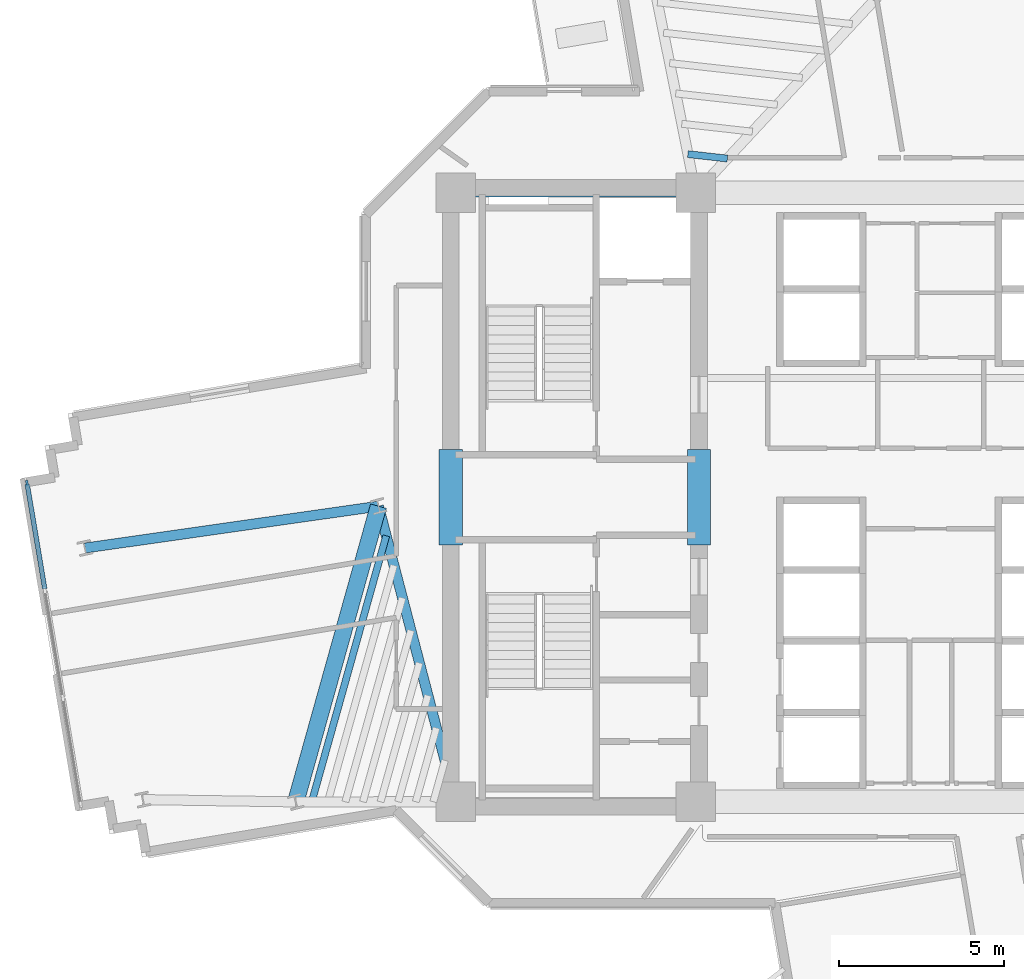
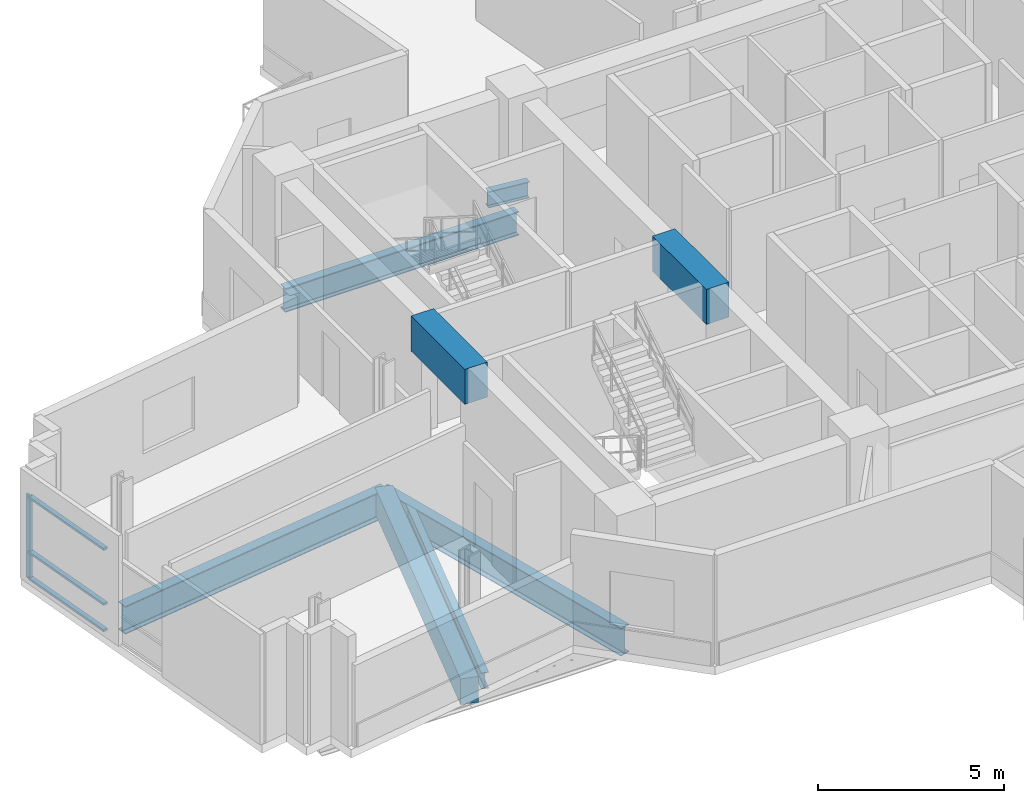
# One storey, part 3 of 15: 8 beams, 4 members, 1 element without a shape of its own.
"""IFC4 building model written with IfcOpenShell, lengths in metres."""

from ifc_helpers import new_model, si_unit, direction, frame, origin, origin_2d, place, context, subcontext, project, spatial, rectangle, i_section, extrude, source, transform, mapped, material, layer, layer_set, material_profile, profile_set, type_object, element, aggregate, save


model = new_model("IFC4")

# Units and contexts
model_context = context("Model", 3, precision=1e-05, world=origin(), true_north=direction((0.0, 1.0)))
body_context = subcontext(model_context, "Body", "Model", "MODEL_VIEW")
ifc_project = project(units=[si_unit("LENGTHUNIT", "METRE"), si_unit("AREAUNIT", "SQUARE_METRE"), si_unit("VOLUMEUNIT", "CUBIC_METRE"), si_unit("PLANEANGLEUNIT", "RADIAN"), si_unit("MASSUNIT", "GRAM", prefix="KILO")], contexts=[model_context])

# Site, building, storey
site_placement = place(None, origin())
site = spatial("IfcSite", under=ifc_project, at=site_placement, CompositionType="ELEMENT")
building_placement = place(site_placement, origin())
building = spatial("IfcBuilding", under=site, at=building_placement, Name="Zahravan Cultural Tower", CompositionType="ELEMENT")
storey_placement = place(building_placement, frame((0.0, 0.0, 135.60009765625)))
storey = spatial("IfcBuildingStorey", under=building, at=storey_placement, Name="L30", CompositionType="ELEMENT", Elevation=135.60009765625)

# Beams
ifc_material_1 = material(Name="Concrete C50/60", Category="concrete")
ifc_material_profile_1 = material_profile(ifc_material_1, rectangle(XDim=0.699951171875, YDim=1.14990234375, at=origin_2d()), Name="RC700X1150")
ifc_profile_set_1 = profile_set([ifc_material_profile_1], Name="Concrete C50/60")
beam_type_1 = type_object("IfcBeamType", Name="BM-LN-RC700X1150", PredefinedType="LINTEL", material=ifc_profile_set_1)
shared_shape_1 = source(origin(), body_context, "Body", "SweptSolid", [
    extrude(rectangle(XDim=0.699951171875, YDim=1.14990234375, at=origin_2d()), origin(), (0.0, 0.0, 1.0), 2.89990234375),
])
for number, where, z_axis, x_axis, name in (
    (1, (21.5, 25.550048828125, 3.044921875), (0.0, 1.0, 0.0), (-1.0, 0.0, 0.0), "L30 Beam LN-L30-PWW"),
    (2, (29.0, 25.550048828125, 3.044921875), (0.0, 1.0, 0.0), (-1.0, 0.0, 0.0), "L30 Beam LN-L30-PWE"),
):
    element("IfcBeam", number, at=place(storey_placement, frame(where, z_axis=z_axis, x_axis=x_axis)), inside=storey, type_object=beam_type_1, Name=name, PredefinedType="LINTEL", context=body_context, shape_type="MappedRepresentation", body=[
        mapped(shared_shape_1, transform((0.0, 0.0, 0.0), x_axis=(1.0, 0.0, 0.0), y_axis=(0.0, 1.0, 0.0), z_axis=(0.0, 0.0, 1.0), scale=1.0)),
    ])
ifc_material_2 = material(Name="Steel ASTM A992 Grade 50", Category="steel")
ifc_material_profile_2 = material_profile(ifc_material_2, i_section(OverallWidth=0.26611328125, OverallDepth=0.780029296875, WebThickness=0.0166015625, FlangeThickness=0.030029296875, FilletRadius=0.01904296875, at=origin_2d()), Name="W30X148")
ifc_profile_set_2 = profile_set([ifc_material_profile_2], Name="Steel ASTM A992 Grade 50")
beam_type_2 = type_object("IfcBeamType", Name="BM-G-W30X148", PredefinedType="BEAM", material=ifc_profile_set_2)
shared_shape_2 = source(origin(), body_context, "Body", "SweptSolid", [
    extrude(i_section(OverallWidth=0.26611328125, OverallDepth=0.780029296875, WebThickness=0.0166015625, FlangeThickness=0.030029296875, FilletRadius=0.01904296875, at=origin_2d()), origin(), (0.0, 0.0, 1.0), 7.25),
])
beam_1_placement = place(storey_placement, frame((21.64990234375, 36.199951171875, -0.670166015625), z_axis=(1.0, 0.0, 0.0), x_axis=(0.0, 1.0, 0.0)))
element("IfcBeam", 3, at=beam_1_placement, inside=storey, type_object=beam_type_2, Name="L30 Beam BG-L30-02", PredefinedType="BEAM", context=body_context, shape_type="MappedRepresentation", body=[
    mapped(shared_shape_2, transform((0.0, 0.0, 0.0), x_axis=(1.0, 0.0, 0.0), y_axis=(0.0, 1.0, 0.0), z_axis=(0.0, 0.0, 1.0), scale=1.0)),
])
ifc_material_profile_3 = material_profile(ifc_material_2, i_section(OverallWidth=0.304931640625, OverallDepth=0.9189453125, WebThickness=0.017333984375, FlangeThickness=0.02783203125, FilletRadius=0.02392578125, at=origin_2d()), Name="W36X170")
ifc_profile_set_3 = profile_set([ifc_material_profile_3], Name="Steel ASTM A992 Grade 50")
beam_type_3 = type_object("IfcBeamType", Name="BM-G-W36X170", PredefinedType="BEAM", material=ifc_profile_set_3)
shared_shape_3 = source(origin(), body_context, "Body", "SweptSolid", [
    extrude(i_section(OverallWidth=0.304931640625, OverallDepth=0.9189453125, WebThickness=0.017333984375, FlangeThickness=0.02783203125, FilletRadius=0.02392578125, at=origin_2d()), origin(), (0.0, 0.0, 1.0), 9.22900390625),
])
beam_2_placement = place(storey_placement, frame((21.64990234375, 17.800048828125, -0.739501953125), z_axis=(-0.252922608408, 0.967486513682, 0.0), x_axis=(-0.967486513682, -0.252922608408, 0.0)))
element("IfcBeam", 4, at=beam_2_placement, inside=storey, type_object=beam_type_3, Name="L30 Beam BG-L30-07", PredefinedType="BEAM", context=body_context, shape_type="MappedRepresentation", body=[
    mapped(shared_shape_3, transform((0.0, 0.0, 0.0), x_axis=(1.0, 0.0, 0.0), y_axis=(0.0, 1.0, 0.0), z_axis=(0.0, 0.0, 1.0), scale=1.0)),
])
shared_shape_4 = source(origin(), body_context, "Body", "SweptSolid", [
    extrude(i_section(OverallWidth=0.304931640625, OverallDepth=0.9189453125, WebThickness=0.017333984375, FlangeThickness=0.02783203125, FilletRadius=0.02392578125, at=origin_2d()), origin(), (0.0, 0.0, 1.0), 8.9580078125),
])
beam_3_placement = place(storey_placement, frame((19.315673828125, 26.72900390625, -0.739501953125), z_axis=(-0.990000122431, -0.141066500584, 0.0), x_axis=(0.141066500584, -0.990000122431, 0.0)))
element("IfcBeam", 5, at=beam_3_placement, inside=storey, type_object=beam_type_3, Name="L30 Beam BG-L30-17", PredefinedType="BEAM", context=body_context, shape_type="MappedRepresentation", body=[
    mapped(shared_shape_4, transform((0.0, 0.0, 0.0), x_axis=(1.0, 0.0, 0.0), y_axis=(0.0, 1.0, 0.0), z_axis=(0.0, 0.0, 1.0), scale=1.0)),
])
ifc_material_profile_4 = material_profile(ifc_material_1, rectangle(XDim=0.5, YDim=0.85009765625, at=origin_2d()), Name="RC500X850")
ifc_profile_set_4 = profile_set([ifc_material_profile_4], Name="Concrete C50/60")
beam_type_4 = type_object("IfcBeamType", Name="BM-SP-RC500X850", PredefinedType="SPANDREL", material=ifc_profile_set_4)
shared_shape_5 = source(origin(), body_context, "Body", "SweptSolid", [
    extrude(rectangle(XDim=0.5, YDim=0.85009765625, at=origin_2d()), origin(), (0.0, 0.0, 1.0), 9.2783203125),
])
beam_4_placement = place(storey_placement, frame((19.315673828125, 26.72900390625, -0.705078125), z_axis=(-0.269497187032, -0.963001176625, 0.0), x_axis=(0.963001176625, -0.269497187032, 0.0)))
element("IfcBeam", 6, at=beam_4_placement, inside=storey, type_object=beam_type_4, Name="L30 Beam SP-L30-19", PredefinedType="SPANDREL", context=body_context, shape_type="MappedRepresentation", body=[
    mapped(shared_shape_5, transform((0.0, 0.0, 0.0), x_axis=(1.0, 0.0, 0.0), y_axis=(0.0, 1.0, 0.0), z_axis=(0.0, 0.0, 1.0), scale=1.0)),
])
ifc_material_profile_5 = material_profile(ifc_material_2, i_section(OverallWidth=0.2099609375, OverallDepth=0.532958984375, WebThickness=0.01025390625, FlangeThickness=0.015625, FilletRadius=0.013916015625, at=origin_2d()), Name="W21X62")
ifc_profile_set_5 = profile_set([ifc_material_profile_5], Name="Steel ASTM A992 Grade 50")
beam_type_5 = type_object("IfcBeamType", Name="BM-J-W21X62", PredefinedType="JOIST", material=ifc_profile_set_5)
shared_shape_6 = source(origin(), body_context, "Body", "SweptSolid", [
    extrude(i_section(OverallWidth=0.2099609375, OverallDepth=0.532958984375, WebThickness=0.01025390625, FlangeThickness=0.015625, FilletRadius=0.013916015625, at=origin_2d()), origin(), (0.0, 0.0, 1.0), 8.350830078125),
])
beam_5_placement = place(storey_placement, frame((19.549072265625, 25.836181640625, -0.546630859375), z_axis=(-0.269496539555, -0.963001357822, 0.0), x_axis=(0.963001357822, -0.269496539555, 0.0)))
element("IfcBeam", 7, at=beam_5_placement, inside=storey, type_object=beam_type_5, Name="L30 Beam BJ-L30-31", PredefinedType="JOIST", context=body_context, shape_type="MappedRepresentation", body=[
    mapped(shared_shape_6, transform((0.0, 0.0, 0.0), x_axis=(1.0, 0.0, 0.0), y_axis=(0.0, 1.0, 0.0), z_axis=(0.0, 0.0, 1.0), scale=1.0)),
])
shared_shape_7 = source(origin(), body_context, "Body", "SweptSolid", [
    extrude(i_section(OverallWidth=0.2099609375, OverallDepth=0.532958984375, WebThickness=0.01025390625, FlangeThickness=0.015625, FilletRadius=0.013916015625, at=origin_2d()), origin(), (0.0, 0.0, 1.0), 1.201171875),
])
beam_6_placement = place(storey_placement, frame((29.859619140625, 37.234375, -0.546630859375), z_axis=(-0.99379916149, 0.111190047317, 0.0), x_axis=(-0.111190047317, -0.99379916149, 0.0)))
element("IfcBeam", 8, at=beam_6_placement, inside=storey, type_object=beam_type_5, Name="L30 Beam BJ-L30-48", PredefinedType="JOIST", context=body_context, shape_type="MappedRepresentation", body=[
    mapped(shared_shape_7, transform((0.0, 0.0, 0.0), x_axis=(1.0, 0.0, 0.0), y_axis=(0.0, 1.0, 0.0), z_axis=(0.0, 0.0, 1.0), scale=1.0)),
])

# Curtain wall, members
ifc_material_3 = material(Name="Anodised bronze-aluminium mullion", Category="aluminium")
ifc_layer = layer(ifc_material_3, 0.179931640625)
ifc_layer_set = layer_set([ifc_layer], Name="Anodised bronze-aluminium mullion")
curtain_wall_type = type_object("IfcCurtainWallType", Name="CW-SYS-3", PredefinedType="USERDEFINED", material=ifc_layer_set)
curtain_wall_placement = place(storey_placement, origin())
curtain_wall = element("IfcCurtainWall", 9, at=curtain_wall_placement, inside=storey, type_object=curtain_wall_type, Name="L30 Recessed Curtain Wall CW-3.2", ObjectType="RECESSED GLAZING", PredefinedType="USERDEFINED")
ifc_material_profile_6 = material_profile(ifc_material_3, rectangle(XDim=0.070068359375, YDim=0.179931640625, at=origin_2d()), Name="AL-M70X180")
ifc_profile_set_6 = profile_set([ifc_material_profile_6], Name="Anodised bronze-aluminium mullion")
member_type_1 = type_object("IfcMemberType", Name="CWM-CW-3", PredefinedType="MULLION", material=ifc_profile_set_6)
shared_shape_8 = source(origin(), body_context, "Body", "SweptSolid", [
    extrude(rectangle(XDim=0.070068359375, YDim=0.179931640625, at=origin_2d()), origin(), (0.0, 0.0, 1.0), 2.739990234375),
])
member_1_placement = place(storey_placement, frame((8.695556640625, 27.42431640625, 0.0), z_axis=(0.0, 0.0, 1.0), x_axis=(-0.986285000163, -0.165051199491, 0.0)))
member_1 = element("IfcMember", 10, at=member_1_placement, type_object=member_type_1, Name="CW-3 mullion 4", PredefinedType="MULLION", context=body_context, shape_type="MappedRepresentation", body=[
    mapped(shared_shape_8, transform((0.0, 0.0, 0.0), x_axis=(1.0, 0.0, 0.0), y_axis=(0.0, 1.0, 0.0), z_axis=(0.0, 0.0, 1.0), scale=1.0)),
])
ifc_material_profile_7 = material_profile(ifc_material_3, rectangle(XDim=0.139892578125, YDim=0.070068359375, at=origin_2d()), Name="AL-T70X140")
ifc_profile_set_7 = profile_set([ifc_material_profile_7], Name="Anodised bronze-aluminium mullion")
member_type_2 = type_object("IfcMemberType", Name="CWT-CW-3", PredefinedType="USERDEFINED", material=ifc_profile_set_7)
shared_shape_9 = source(origin(), body_context, "Body", "SweptSolid", [
    extrude(rectangle(XDim=0.139892578125, YDim=0.070068359375, at=origin_2d()), origin(), (0.0, 0.0, 1.0), 3.20166015625),
])
member_2_placement = place(storey_placement, frame((9.229736328125, 24.23193359375, 0.034912109375), z_axis=(-0.165091421892, 0.986278268248, 0.0), x_axis=(-0.986278268248, -0.165091421892, 0.0)))
member_2 = element("IfcMember", 11, at=member_2_placement, type_object=member_type_2, Name="CW-3 transom 3.1", ObjectType="TRANSOM", PredefinedType="USERDEFINED", context=body_context, shape_type="MappedRepresentation", body=[
    mapped(shared_shape_9, transform((0.0, 0.0, 0.0), x_axis=(1.0, 0.0, 0.0), y_axis=(0.0, 1.0, 0.0), z_axis=(0.0, 0.0, 1.0), scale=1.0)),
])
member_3_placement = place(storey_placement, frame((9.229736328125, 24.23193359375, 0.89990234375), z_axis=(-0.165091421892, 0.986278268248, 0.0), x_axis=(-0.986278268248, -0.165091421892, 0.0)))
member_3 = element("IfcMember", 12, at=member_3_placement, type_object=member_type_2, Name="CW-3 transom 3.2", ObjectType="TRANSOM", PredefinedType="USERDEFINED", context=body_context, shape_type="MappedRepresentation", body=[
    mapped(shared_shape_9, transform((0.0, 0.0, 0.0), x_axis=(1.0, 0.0, 0.0), y_axis=(0.0, 1.0, 0.0), z_axis=(0.0, 0.0, 1.0), scale=1.0)),
])
member_4_placement = place(storey_placement, frame((9.229736328125, 24.23193359375, 2.704833984375), z_axis=(-0.165091421892, 0.986278268248, 0.0), x_axis=(-0.986278268248, -0.165091421892, 0.0)))
member_4 = element("IfcMember", 13, at=member_4_placement, type_object=member_type_2, Name="CW-3 transom 3.3", ObjectType="TRANSOM", PredefinedType="USERDEFINED", context=body_context, shape_type="MappedRepresentation", body=[
    mapped(shared_shape_9, transform((0.0, 0.0, 0.0), x_axis=(1.0, 0.0, 0.0), y_axis=(0.0, 1.0, 0.0), z_axis=(0.0, 0.0, 1.0), scale=1.0)),
])
aggregate(curtain_wall, [member_1, member_2, member_3, member_4])

save(model, "model.ifc")
